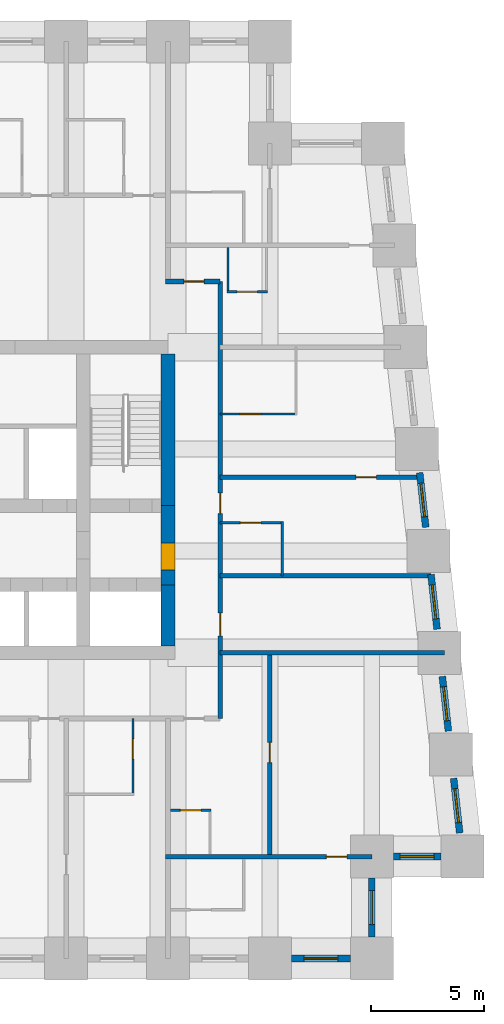
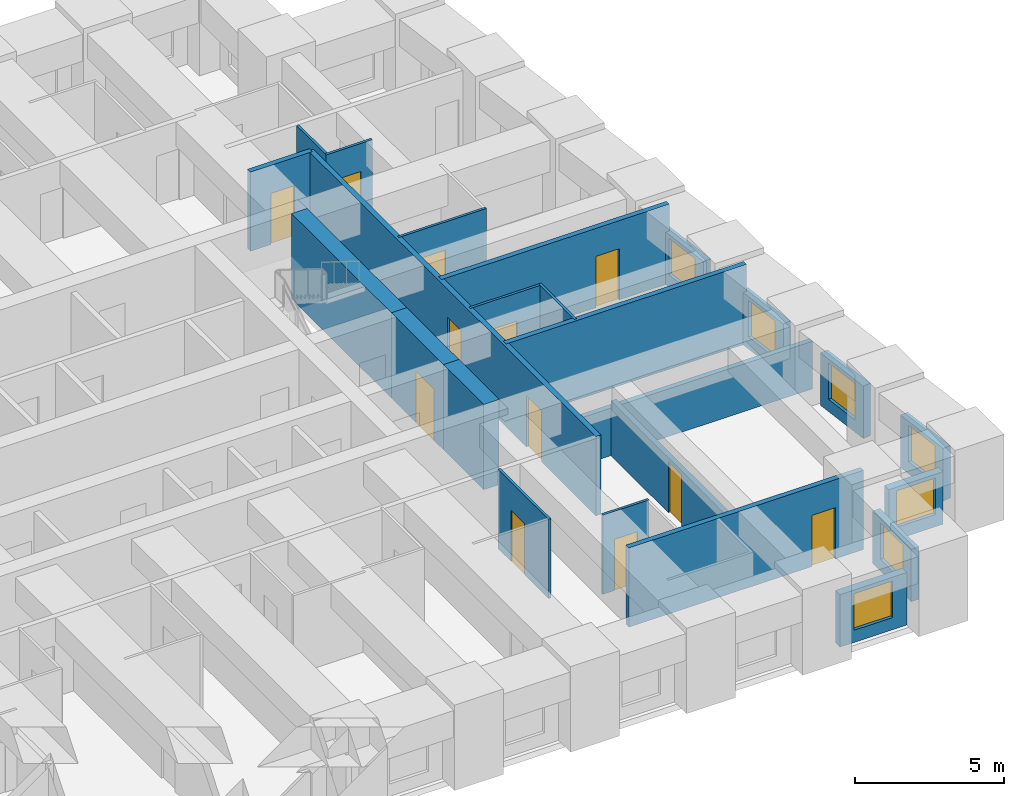
# One storey, part 5 of 8: 24 walls, 12 doors, 7 windows, 19 openings.
"""IFC4 building model written with IfcOpenShell, lengths in metres."""

from ifc_helpers import new_model, si_unit, direction, frame, frame_2d, origin, place, context, subcontext, project, spatial, rectangle, extrude, material, layer, layer_set, type_object, element, fill, save


model = new_model("IFC4")

# Units and contexts
model_context = context("Model", 3, precision=1e-05, world=origin(), true_north=direction((0.0, 1.0)))
body_context = subcontext(model_context, "Body", "Model", "MODEL_VIEW")
ifc_project = project(units=[si_unit("LENGTHUNIT", "METRE"), si_unit("AREAUNIT", "SQUARE_METRE"), si_unit("VOLUMEUNIT", "CUBIC_METRE"), si_unit("PLANEANGLEUNIT", "RADIAN"), si_unit("MASSUNIT", "GRAM", prefix="KILO")], contexts=[model_context])

# Site, building, storey
site_placement = place(None, origin())
site = spatial("IfcSite", under=ifc_project, at=site_placement, CompositionType="ELEMENT")
building_placement = place(site_placement, origin())
building = spatial("IfcBuilding", under=site, at=building_placement, Name="Kilele Tower Hotel", CompositionType="ELEMENT")
storey_placement = place(building_placement, frame((0.0, 0.0, 89.89990234375)))
storey = spatial("IfcBuildingStorey", under=building, at=storey_placement, Name="L22", CompositionType="ELEMENT", Elevation=89.89990234375)

# Wall, opening, door
ifc_material_1 = material(Name="Moisture-resistant board")
ifc_layer_1 = layer(ifc_material_1, 0.10009765625)
ifc_layer_set_1 = layer_set([ifc_layer_1], Name="Moisture-resistant board")
wall_type_1 = type_object("IfcWallType", Name="Bathroom partition 100", PredefinedType="PLUMBINGWALL", material=ifc_layer_set_1)
wall_1_placement = place(storey_placement, frame((34.449951171875, 10.60009765625, 0.0), z_axis=(0.0, 0.0, 1.0), x_axis=(0.0, -1.0, 0.0)))
wall_1 = element("IfcWall", 1, at=wall_1_placement, inside=storey, type_object=wall_type_1, Name="Bathroom partition 100 L22", PredefinedType="PLUMBINGWALL", context=body_context, shape_type="SweptSolid", body=[
    extrude(rectangle(XDim=3.400146484375, YDim=0.10009765625, at=frame_2d((1.7001953125, 0.0))), origin(), (0.0, 0.0, 1.0), 3.25),
])
opening_1_placement = place(wall_1_placement, frame((0.89990234375, 0.0, 0.0)))
opening_1 = element("IfcOpeningElement", 2, at=opening_1_placement, cuts=wall_1, Name="Opening D2A", PredefinedType="OPENING", context=body_context, shape_type="SweptSolid", body=[
    extrude(rectangle(XDim=0.89990234375, YDim=2.10009765625, at=frame_2d((0.449951171875, 1.050048828125))), frame((0.0, 0.06005859375, 0.0), z_axis=(0.0, -1.0, 0.0), x_axis=(1.0, 0.0, 0.0)), (0.0, 0.0, 1.0), 0.1201171875),
])
ifc_material_2 = material(Name="Timber door leaf in hardwood frame", Category="wood")
door_type_1 = type_object("IfcDoorType", Name="Bathroom door 900", OperationType="SINGLE_SWING_LEFT", PredefinedType="DOOR", material=ifc_material_2)
door_1_placement = place(opening_1_placement, origin())
door_1 = element("IfcDoor", 3, at=door_1_placement, inside=storey, type_object=door_type_1, Name="Bathroom door 2205B", OperationType="SINGLE_SWING_LEFT", OverallHeight=2.10009765625, OverallWidth=0.89990234375, PredefinedType="DOOR", context=body_context, shape_type="SweptSolid", body=[
    extrude(rectangle(XDim=0.89990234375, YDim=2.10009765625, at=frame_2d((0.449951171875, 1.050048828125))), frame((0.0, 0.02490234375, 0.0), z_axis=(0.0, -1.0, 0.0), x_axis=(1.0, 0.0, 0.0)), (0.0, 0.0, 1.0), 0.050048828125),
])
fill(opening_1, door_1)

# Wall
wall_2_placement = place(storey_placement, frame((41.050048828125, 16.89990234375, 0.0), z_axis=(0.0, 0.0, 1.0), x_axis=(0.0, 1.0, 0.0)))
element("IfcWall", 4, at=wall_2_placement, inside=storey, type_object=wall_type_1, Name="Bathroom partition 100 L22", PredefinedType="PLUMBINGWALL", context=body_context, shape_type="SweptSolid", body=[
    extrude(rectangle(XDim=2.400146484375, YDim=0.10009765625, at=frame_2d((1.2001953125, 0.0))), origin(), (0.0, 0.0, 1.0), 3.25),
])

# Wall, opening, door
wall_3_placement = place(storey_placement, frame((38.300048828125, 19.25, 0.0), z_axis=(0.0, 0.0, 1.0), x_axis=(1.0, 0.0, 0.0)))
wall_3 = element("IfcWall", 5, at=wall_3_placement, inside=storey, type_object=wall_type_1, Name="Bathroom partition 100 L22", PredefinedType="PLUMBINGWALL", context=body_context, shape_type="SweptSolid", body=[
    extrude(rectangle(XDim=2.800048828125, YDim=0.10009765625, at=frame_2d((1.39990234375, 0.0))), origin(), (0.0, 0.0, 1.0), 3.25),
])
opening_2_placement = place(wall_3_placement, frame((0.89990234375, 0.0, 0.0)))
opening_2 = element("IfcOpeningElement", 6, at=opening_2_placement, cuts=wall_3, Name="Opening D2A", PredefinedType="OPENING", context=body_context, shape_type="SweptSolid", body=[
    extrude(rectangle(XDim=0.89990234375, YDim=2.10009765625, at=frame_2d((0.449951171875, 1.050048828125))), frame((0.0, 0.06005859375, 0.0), z_axis=(0.0, -1.0, 0.0), x_axis=(1.0, 0.0, 0.0)), (0.0, 0.0, 1.0), 0.1201171875),
])
door_2_placement = place(opening_2_placement, origin())
door_2 = element("IfcDoor", 7, at=door_2_placement, inside=storey, type_object=door_type_1, Name="Bathroom door 2207B", OperationType="SINGLE_SWING_LEFT", OverallHeight=2.10009765625, OverallWidth=0.89990234375, PredefinedType="DOOR", context=body_context, shape_type="SweptSolid", body=[
    extrude(rectangle(XDim=0.89990234375, YDim=2.10009765625, at=frame_2d((0.449951171875, 1.050048828125))), frame((0.0, 0.02490234375, 0.0), z_axis=(0.0, -1.0, 0.0), x_axis=(1.0, 0.0, 0.0)), (0.0, 0.0, 1.0), 0.050048828125),
])
fill(opening_2, door_2)

wall_4_placement = place(storey_placement, frame((38.300048828125, 24.050048828125, 0.0), z_axis=(0.0, 0.0, 1.0), x_axis=(1.0, 0.0, 0.0)))
wall_4 = element("IfcWall", 8, at=wall_4_placement, inside=storey, type_object=wall_type_1, Name="Bathroom partition 100 L22", PredefinedType="PLUMBINGWALL", context=body_context, shape_type="SweptSolid", body=[
    extrude(rectangle(XDim=3.39990234375, YDim=0.10009765625, at=frame_2d((1.699951171875, 0.0))), origin(), (0.0, 0.0, 1.0), 3.25),
])
opening_3_placement = place(wall_4_placement, frame((1.7998046875, 0.0, 0.0), z_axis=(0.0, 0.0, 1.0), x_axis=(-1.0, 0.0, 0.0)))
opening_3 = element("IfcOpeningElement", 9, at=opening_3_placement, cuts=wall_4, Name="Opening D2A", PredefinedType="OPENING", context=body_context, shape_type="SweptSolid", body=[
    extrude(rectangle(XDim=0.89990234375, YDim=2.10009765625, at=frame_2d((0.449951171875, 1.050048828125))), frame((0.0, 0.06005859375, 0.0), z_axis=(0.0, -1.0, 0.0), x_axis=(1.0, 0.0, 0.0)), (0.0, 0.0, 1.0), 0.1201171875),
])
door_3_placement = place(opening_3_placement, origin())
door_3 = element("IfcDoor", 10, at=door_3_placement, inside=storey, type_object=door_type_1, Name="Bathroom door 2208B", OperationType="SINGLE_SWING_RIGHT", OverallHeight=2.10009765625, OverallWidth=0.89990234375, PredefinedType="DOOR", context=body_context, shape_type="SweptSolid", body=[
    extrude(rectangle(XDim=0.89990234375, YDim=2.10009765625, at=frame_2d((0.449951171875, 1.050048828125))), frame((0.0, 0.02490234375, 0.0), z_axis=(0.0, -1.0, 0.0), x_axis=(1.0, 0.0, 0.0)), (0.0, 0.0, 1.0), 0.050048828125),
])
fill(opening_3, door_3)

wall_5_placement = place(storey_placement, frame((36.10009765625, 6.550048828125, 0.0), z_axis=(0.0, 0.0, 1.0), x_axis=(1.0, 0.0, 0.0)))
wall_5 = element("IfcWall", 11, at=wall_5_placement, inside=storey, type_object=wall_type_1, Name="Bathroom partition 100 L22", PredefinedType="PLUMBINGWALL", context=body_context, shape_type="SweptSolid", body=[
    extrude(rectangle(XDim=1.7998046875, YDim=0.10009765625, at=frame_2d((0.89990234375, 0.0))), origin(), (0.0, 0.0, 1.0), 3.25),
])
opening_4_placement = place(wall_5_placement, frame((0.449951171875, 0.0, 0.0)))
opening_4 = element("IfcOpeningElement", 12, at=opening_4_placement, cuts=wall_5, Name="Opening D2A", PredefinedType="OPENING", context=body_context, shape_type="SweptSolid", body=[
    extrude(rectangle(XDim=0.89990234375, YDim=2.10009765625, at=frame_2d((0.449951171875, 1.050048828125))), frame((0.0, 0.06005859375, 0.0), z_axis=(0.0, -1.0, 0.0), x_axis=(1.0, 0.0, 0.0)), (0.0, 0.0, 1.0), 0.1201171875),
])
door_4_placement = place(opening_4_placement, origin())
door_4 = element("IfcDoor", 13, at=door_4_placement, inside=storey, type_object=door_type_1, Name="Bathroom door 2220P", OperationType="SINGLE_SWING_LEFT", OverallHeight=2.10009765625, OverallWidth=0.89990234375, PredefinedType="DOOR", context=body_context, shape_type="SweptSolid", body=[
    extrude(rectangle(XDim=0.89990234375, YDim=2.10009765625, at=frame_2d((0.449951171875, 1.050048828125))), frame((0.0, 0.02490234375, 0.0), z_axis=(0.0, -1.0, 0.0), x_axis=(1.0, 0.0, 0.0)), (0.0, 0.0, 1.0), 0.050048828125),
])
fill(opening_4, door_4)

# Wall
wall_6_placement = place(storey_placement, frame((38.64990234375, 31.39990234375, 0.0), z_axis=(0.0, 0.0, 1.0), x_axis=(0.0, -1.0, 0.0)))
element("IfcWall", 14, at=wall_6_placement, inside=storey, type_object=wall_type_1, Name="Bathroom partition 100 L22", PredefinedType="PLUMBINGWALL", context=body_context, shape_type="SweptSolid", body=[
    extrude(rectangle(XDim=2.0, YDim=0.10009765625, at=frame_2d((1.0, 0.0))), origin(), (0.0, 0.0, 1.0), 3.25),
])

# Wall, opening, door
wall_7_placement = place(storey_placement, frame((38.60009765625, 29.449951171875, 0.0), z_axis=(0.0, 0.0, 1.0), x_axis=(1.0, 0.0, 0.0)))
wall_7 = element("IfcWall", 15, at=wall_7_placement, inside=storey, type_object=wall_type_1, Name="Bathroom partition 100 L22", PredefinedType="PLUMBINGWALL", context=body_context, shape_type="SweptSolid", body=[
    extrude(rectangle(XDim=1.7998046875, YDim=0.10009765625, at=frame_2d((0.89990234375, 0.0))), origin(), (0.0, 0.0, 1.0), 3.25),
])
opening_5_placement = place(wall_7_placement, frame((1.349853515625, 0.0, 0.0), z_axis=(0.0, 0.0, 1.0), x_axis=(-1.0, 0.0, 0.0)))
opening_5 = element("IfcOpeningElement", 16, at=opening_5_placement, cuts=wall_7, Name="Opening D2A", PredefinedType="OPENING", context=body_context, shape_type="SweptSolid", body=[
    extrude(rectangle(XDim=0.89990234375, YDim=2.10009765625, at=frame_2d((0.449951171875, 1.050048828125))), frame((0.0, 0.06005859375, 0.0), z_axis=(0.0, -1.0, 0.0), x_axis=(1.0, 0.0, 0.0)), (0.0, 0.0, 1.0), 0.1201171875),
])
door_5_placement = place(opening_5_placement, origin())
door_5 = element("IfcDoor", 17, at=door_5_placement, inside=storey, type_object=door_type_1, Name="Bathroom door 2223P", OperationType="SINGLE_SWING_RIGHT", OverallHeight=2.10009765625, OverallWidth=0.89990234375, PredefinedType="DOOR", context=body_context, shape_type="SweptSolid", body=[
    extrude(rectangle(XDim=0.89990234375, YDim=2.10009765625, at=frame_2d((0.449951171875, 1.050048828125))), frame((0.0, 0.02490234375, 0.0), z_axis=(0.0, -1.0, 0.0), x_axis=(1.0, 0.0, 0.0)), (0.0, 0.0, 1.0), 0.050048828125),
])
fill(opening_5, door_5)

# Wall
ifc_material_3 = material(Name="Concrete C60/75", Category="concrete")
ifc_layer_2 = layer(ifc_material_3, 0.60009765625)
ifc_layer_set_2 = layer_set([ifc_layer_2], Name="Concrete C60/75")
wall_type_2 = type_object("IfcWallType", Name="Core wall 600 C60/75", PredefinedType="SHEAR", material=ifc_layer_set_2)
wall_8_placement = place(storey_placement, frame((36.0, 13.800048828125, 0.0), z_axis=(0.0, 0.0, 1.0), x_axis=(0.0, 1.0, 0.0)))
element("IfcWall", 18, at=wall_8_placement, inside=storey, type_object=wall_type_2, Name="Core wall E1 L22", PredefinedType="SHEAR", context=body_context, shape_type="SweptSolid", body=[
    extrude(rectangle(XDim=2.699951171875, YDim=0.60009765625, at=frame_2d((1.35009765625, 0.0))), origin(), (0.0, 0.0, 1.0), 3.5),
])

# Wall, opening, door
wall_9_placement = place(storey_placement, frame((36.0, 16.5, 0.0), z_axis=(0.0, 0.0, 1.0), x_axis=(0.0, 1.0, 0.0)))
wall_9 = element("IfcWall", 19, at=wall_9_placement, inside=storey, type_object=wall_type_2, Name="Core wall E2 L22", PredefinedType="SHEAR", context=body_context, shape_type="SweptSolid", body=[
    extrude(rectangle(XDim=3.5, YDim=0.60009765625, at=frame_2d((1.75, 0.0))), origin(), (0.0, 0.0, 1.0), 3.5),
])
opening_6_placement = place(wall_9_placement, frame((0.64990234375, 0.0, 0.0)))
opening_6 = element("IfcOpeningElement", 20, at=opening_6_placement, cuts=wall_9, Name="Opening D4", PredefinedType="OPENING", context=body_context, shape_type="SweptSolid", body=[
    extrude(rectangle(XDim=1.199951171875, YDim=2.10009765625, at=frame_2d((0.60009765625, 1.050048828125))), frame((0.0, 0.31005859375, 0.0), z_axis=(0.0, -1.0, 0.0), x_axis=(1.0, 0.0, 0.0)), (0.0, 0.0, 1.0), 0.6201171875),
])
ifc_material_4 = material(Name="Timber door leaf in hardwood frame", Category="wood")
door_type_2 = type_object("IfcDoorType", Name="Firefighting lobby door 1200", OperationType="SINGLE_SWING_LEFT", PredefinedType="DOOR", material=ifc_material_4)
door_6_placement = place(opening_6_placement, origin())
door_6 = element("IfcDoor", 21, at=door_6_placement, inside=storey, type_object=door_type_2, Name="Lobby door L22", OperationType="SINGLE_SWING_LEFT", OverallHeight=2.10009765625, OverallWidth=1.199951171875, PredefinedType="DOOR", context=body_context, shape_type="SweptSolid", body=[
    extrude(rectangle(XDim=1.199951171875, YDim=2.10009765625, at=frame_2d((0.60009765625, 1.050048828125))), frame((0.0, 0.2998046875, 0.0), z_axis=(0.0, -1.0, 0.0), x_axis=(1.0, 0.0, 0.0)), (0.0, 0.0, 1.0), 0.599609375),
])
fill(opening_6, door_6)

# Wall
wall_10_placement = place(storey_placement, frame((36.0, 20.0, 0.0), z_axis=(0.0, 0.0, 1.0), x_axis=(0.0, 1.0, 0.0)))
element("IfcWall", 22, at=wall_10_placement, inside=storey, type_object=wall_type_2, Name="Core wall E3 L22", PredefinedType="SHEAR", context=body_context, shape_type="SweptSolid", body=[
    extrude(rectangle(XDim=6.699951171875, YDim=0.60009765625, at=frame_2d((3.35009765625, 0.0))), origin(), (0.0, 0.0, 1.0), 3.5),
])

# Wall, opening, door
ifc_material_5 = material(Name="Blockwork, plastered both sides", Category="masonry")
ifc_layer_3 = layer(ifc_material_5, 0.199951171875)
ifc_layer_set_3 = layer_set([ifc_layer_3], Name="Blockwork, plastered both sides")
wall_type_3 = type_object("IfcWallType", Name="Corridor wall 200", PredefinedType="PARTITIONING", material=ifc_layer_set_3)
wall_11_placement = place(storey_placement, frame((35.89990234375, 29.89990234375, 0.0), z_axis=(0.0, 0.0, 1.0), x_axis=(1.0, 0.0, 0.0)))
wall_11 = element("IfcWall", 23, at=wall_11_placement, inside=storey, type_object=wall_type_3, Name="Corridor wall 200 L22", PredefinedType="PARTITIONING", context=body_context, shape_type="SweptSolid", body=[
    extrude(rectangle(XDim=2.400146484375, YDim=0.199951171875, at=frame_2d((1.2001953125, 0.0))), origin(), (0.0, 0.0, 1.0), 3.25),
])
opening_7_placement = place(wall_11_placement, frame((0.800048828125, 0.0, 0.0)))
opening_7 = element("IfcOpeningElement", 24, at=opening_7_placement, cuts=wall_11, Name="Opening D1", PredefinedType="OPENING", context=body_context, shape_type="SweptSolid", body=[
    extrude(rectangle(XDim=0.89990234375, YDim=2.10009765625, at=frame_2d((0.449951171875, 1.050048828125))), frame((0.0, 0.10986328125, 0.0), z_axis=(0.0, -1.0, 0.0), x_axis=(1.0, 0.0, 0.0)), (0.0, 0.0, 1.0), 0.219970703125),
])
ifc_material_6 = material(Name="Timber door leaf in hardwood frame", Category="wood")
door_type_3 = type_object("IfcDoorType", Name="Guest room entrance door 900", OperationType="SINGLE_SWING_LEFT", PredefinedType="DOOR", material=ifc_material_6)
door_7_placement = place(opening_7_placement, origin())
door_7 = element("IfcDoor", 25, at=door_7_placement, inside=storey, type_object=door_type_3, Name="Room entrance 2223", OperationType="SINGLE_SWING_LEFT", OverallHeight=2.10009765625, OverallWidth=0.89990234375, PredefinedType="DOOR", context=body_context, shape_type="SweptSolid", body=[
    extrude(rectangle(XDim=0.89990234375, YDim=2.10009765625, at=frame_2d((0.449951171875, 1.050048828125))), frame((0.0, 0.02490234375, 0.0), z_axis=(0.0, -1.0, 0.0), x_axis=(1.0, 0.0, 0.0)), (0.0, 0.0, 1.0), 0.050048828125),
])
fill(opening_7, door_7)

# Wall, openings, doors
wall_12_placement = place(storey_placement, frame((38.300048828125, 10.60009765625, 0.0), z_axis=(0.0, 0.0, 1.0), x_axis=(0.0, 1.0, 0.0)))
wall_12 = element("IfcWall", 26, at=wall_12_placement, inside=storey, type_object=wall_type_3, Name="Corridor wall 200 L22", PredefinedType="PARTITIONING", context=body_context, shape_type="SweptSolid", body=[
    extrude(rectangle(XDim=19.2998046875, YDim=0.199951171875, at=frame_2d((9.64990234375, 0.0))), origin(), (0.0, 0.0, 1.0), 3.25),
])
opening_8_placement = place(wall_12_placement, frame((4.64990234375, 0.0, 0.0), z_axis=(0.0, 0.0, 1.0), x_axis=(-1.0, 0.0, 0.0)))
opening_8 = element("IfcOpeningElement", 27, at=opening_8_placement, cuts=wall_12, Name="Opening D8", PredefinedType="OPENING", context=body_context, shape_type="SweptSolid", body=[
    extrude(rectangle(XDim=1.0, YDim=2.10009765625, at=frame_2d((0.5, 1.050048828125))), frame((0.0, 0.10986328125, 0.0), z_axis=(0.0, -1.0, 0.0), x_axis=(1.0, 0.0, 0.0)), (0.0, 0.0, 1.0), 0.219970703125),
])
opening_9_placement = place(wall_12_placement, frame((9.949951171875, 0.0, 0.0), z_axis=(0.0, 0.0, 1.0), x_axis=(-1.0, 0.0, 0.0)))
opening_9 = element("IfcOpeningElement", 28, at=opening_9_placement, cuts=wall_12, Name="Opening D1", PredefinedType="OPENING", context=body_context, shape_type="SweptSolid", body=[
    extrude(rectangle(XDim=0.89990234375, YDim=2.10009765625, at=frame_2d((0.449951171875, 1.050048828125))), frame((0.0, 0.10986328125, 0.0), z_axis=(0.0, -1.0, 0.0), x_axis=(1.0, 0.0, 0.0)), (0.0, 0.0, 1.0), 0.219970703125),
])
ifc_material_7 = material(Name="Timber door leaf in hardwood frame", Category="wood")
door_type_4 = type_object("IfcDoorType", Name="Door 1000", OperationType="SINGLE_SWING_LEFT", PredefinedType="DOOR", material=ifc_material_7)
door_8_placement = place(opening_8_placement, origin())
door_8 = element("IfcDoor", 29, at=door_8_placement, inside=storey, type_object=door_type_4, Name="Room entrance 2206", OperationType="SINGLE_SWING_RIGHT", OverallHeight=2.10009765625, OverallWidth=1.0, PredefinedType="DOOR", context=body_context, shape_type="SweptSolid", body=[
    extrude(rectangle(XDim=1.0, YDim=2.10009765625, at=frame_2d((0.5, 1.050048828125))), frame((0.0, 0.02490234375, 0.0), z_axis=(0.0, -1.0, 0.0), x_axis=(1.0, 0.0, 0.0)), (0.0, 0.0, 1.0), 0.050048828125),
])
fill(opening_8, door_8)
door_9_placement = place(opening_9_placement, origin())
door_9 = element("IfcDoor", 30, at=door_9_placement, inside=storey, type_object=door_type_3, Name="Room entrance 2207", OperationType="SINGLE_SWING_RIGHT", OverallHeight=2.10009765625, OverallWidth=0.89990234375, PredefinedType="DOOR", context=body_context, shape_type="SweptSolid", body=[
    extrude(rectangle(XDim=0.89990234375, YDim=2.10009765625, at=frame_2d((0.449951171875, 1.050048828125))), frame((0.0, 0.02490234375, 0.0), z_axis=(0.0, -1.0, 0.0), x_axis=(1.0, 0.0, 0.0)), (0.0, 0.0, 1.0), 0.050048828125),
])
fill(opening_9, door_9)

# Wall, opening, door
ifc_material_8 = material(Name="Blockwork, plastered both sides", Category="masonry")
ifc_layer_4 = layer(ifc_material_8, 0.199951171875)
ifc_layer_set_4 = layer_set([ifc_layer_4], Name="Blockwork, plastered both sides")
wall_type_4 = type_object("IfcWallType", Name="Partition wall 200", PredefinedType="PARTITIONING", material=ifc_layer_set_4)
wall_13_placement = place(storey_placement, frame((40.5, 4.60009765625, 0.0), z_axis=(0.0, 0.0, 1.0), x_axis=(0.0, 1.0, 0.0)))
wall_13 = element("IfcWall", 31, at=wall_13_placement, inside=storey, type_object=wall_type_4, Name="Partition wall 200 L22", PredefinedType="PARTITIONING", context=body_context, shape_type="SweptSolid", body=[
    extrude(rectangle(XDim=8.7998046875, YDim=0.199951171875, at=frame_2d((4.39990234375, 0.0))), origin(), (0.0, 0.0, 1.0), 2.25),
])
opening_10_placement = place(wall_13_placement, frame((4.050048828125, 0.0, 0.0)))
opening_10 = element("IfcOpeningElement", 32, at=opening_10_placement, cuts=wall_13, Name="Opening D3", PredefinedType="OPENING", context=body_context, shape_type="SweptSolid", body=[
    extrude(rectangle(XDim=0.89990234375, YDim=2.10009765625, at=frame_2d((0.449951171875, 1.050048828125))), frame((0.0, 0.10986328125, 0.0), z_axis=(0.0, -1.0, 0.0), x_axis=(1.0, 0.0, 0.0)), (0.0, 0.0, 1.0), 0.219970703125),
])
ifc_material_9 = material(Name="Timber door leaf in hardwood frame", Category="wood")
door_type_5 = type_object("IfcDoorType", Name="Suite internal door 900", OperationType="SINGLE_SWING_LEFT", PredefinedType="DOOR", material=ifc_material_9)
door_10_placement = place(opening_10_placement, origin())
door_10 = element("IfcDoor", 33, at=door_10_placement, inside=storey, type_object=door_type_5, Name="Suite door 2221", OperationType="SINGLE_SWING_RIGHT", OverallHeight=2.10009765625, OverallWidth=0.89990234375, PredefinedType="DOOR", context=body_context, shape_type="SweptSolid", body=[
    extrude(rectangle(XDim=0.89990234375, YDim=2.10009765625, at=frame_2d((0.449951171875, 1.050048828125))), frame((0.0, 0.02490234375, 0.0), z_axis=(0.0, -1.0, 0.0), x_axis=(1.0, 0.0, 0.0)), (0.0, 0.0, 1.0), 0.050048828125),
])
fill(opening_10, door_10)

# Wall
ifc_material_10 = material(Name="Blockwork, plastered both sides", Category="masonry")
ifc_layer_5 = layer(ifc_material_10, 0.199951171875)
ifc_layer_set_5 = layer_set([ifc_layer_5], Name="Blockwork, plastered both sides")
wall_type_5 = type_object("IfcWallType", Name="Party wall 200", PredefinedType="PARTITIONING", material=ifc_layer_set_5)
wall_14_placement = place(storey_placement, frame((38.300048828125, 16.89990234375, 0.0), z_axis=(0.0, 0.0, 1.0), x_axis=(1.0, 0.0, 0.0)))
element("IfcWall", 34, at=wall_14_placement, inside=storey, type_object=wall_type_5, Name="Party wall 200 L22", PredefinedType="PARTITIONING", context=body_context, shape_type="SweptSolid", body=[
    extrude(rectangle(XDim=9.3212890625, YDim=0.199951171875, at=frame_2d((4.66064453125, 0.0))), origin(), (0.0, 0.0, 1.0), 3.25),
])

# Wall, opening, door
wall_15_placement = place(storey_placement, frame((38.300048828125, 21.25, 0.0), z_axis=(0.0, 0.0, 1.0), x_axis=(1.0, 0.0, 0.0)))
wall_15 = element("IfcWall", 35, at=wall_15_placement, inside=storey, type_object=wall_type_5, Name="Party wall 200 L22", PredefinedType="PARTITIONING", context=body_context, shape_type="SweptSolid", body=[
    extrude(rectangle(XDim=8.837890625, YDim=0.199951171875, at=frame_2d((4.4189453125, 0.0))), origin(), (0.0, 0.0, 1.0), 3.25),
])
opening_11_placement = place(wall_15_placement, frame((6.0, 0.0, 0.0)))
opening_11 = element("IfcOpeningElement", 36, at=opening_11_placement, cuts=wall_15, Name="Opening D3", PredefinedType="OPENING", context=body_context, shape_type="SweptSolid", body=[
    extrude(rectangle(XDim=0.89990234375, YDim=2.10009765625, at=frame_2d((0.449951171875, 1.050048828125))), frame((0.0, 0.10986328125, 0.0), z_axis=(0.0, -1.0, 0.0), x_axis=(1.0, 0.0, 0.0)), (0.0, 0.0, 1.0), 0.219970703125),
])
door_11_placement = place(opening_11_placement, origin())
door_11 = element("IfcDoor", 37, at=door_11_placement, inside=storey, type_object=door_type_5, Name="Suite door 2208", OperationType="SINGLE_SWING_RIGHT", OverallHeight=2.10009765625, OverallWidth=0.89990234375, PredefinedType="DOOR", context=body_context, shape_type="SweptSolid", body=[
    extrude(rectangle(XDim=0.89990234375, YDim=2.10009765625, at=frame_2d((0.449951171875, 1.050048828125))), frame((0.0, 0.02490234375, 0.0), z_axis=(0.0, -1.0, 0.0), x_axis=(1.0, 0.0, 0.0)), (0.0, 0.0, 1.0), 0.050048828125),
])
fill(opening_11, door_11)

# Wall
wall_16_placement = place(storey_placement, frame((38.300048828125, 13.5, 0.0), z_axis=(0.0, 0.0, 1.0), x_axis=(1.0, 0.0, 0.0)))
element("IfcWall", 38, at=wall_16_placement, inside=storey, type_object=wall_type_5, Name="Party wall 200 L22", PredefinedType="PARTITIONING", context=body_context, shape_type="SweptSolid", body=[
    extrude(rectangle(XDim=9.921142578125, YDim=0.199951171875, at=frame_2d((4.96044921875, 0.0))), origin(), (0.0, 0.0, 1.0), 1.9501953125),
])

# Wall, opening, door
wall_17_placement = place(storey_placement, frame((35.89990234375, 4.5, 0.0), z_axis=(0.0, 0.0, 1.0), x_axis=(1.0, 0.0, 0.0)))
wall_17 = element("IfcWall", 39, at=wall_17_placement, inside=storey, type_object=wall_type_5, Name="Party wall 200 L22", PredefinedType="PARTITIONING", context=body_context, shape_type="SweptSolid", body=[
    extrude(rectangle(XDim=9.10009765625, YDim=0.199951171875, at=frame_2d((4.550048828125, 0.0))), origin(), (0.0, 0.0, 1.0), 3.25),
])
opening_12_placement = place(wall_17_placement, frame((7.10009765625, 0.0, 0.0)))
opening_12 = element("IfcOpeningElement", 40, at=opening_12_placement, cuts=wall_17, Name="Opening D3", PredefinedType="OPENING", context=body_context, shape_type="SweptSolid", body=[
    extrude(rectangle(XDim=0.89990234375, YDim=2.10009765625, at=frame_2d((0.449951171875, 1.050048828125))), frame((0.0, 0.10986328125, 0.0), z_axis=(0.0, -1.0, 0.0), x_axis=(1.0, 0.0, 0.0)), (0.0, 0.0, 1.0), 0.219970703125),
])
door_12_placement = place(opening_12_placement, origin())
door_12 = element("IfcDoor", 41, at=door_12_placement, inside=storey, type_object=door_type_5, Name="Suite door 2222", OperationType="SINGLE_SWING_RIGHT", OverallHeight=2.10009765625, OverallWidth=0.89990234375, PredefinedType="DOOR", context=body_context, shape_type="SweptSolid", body=[
    extrude(rectangle(XDim=0.89990234375, YDim=2.10009765625, at=frame_2d((0.449951171875, 1.050048828125))), frame((0.0, 0.02490234375, 0.0), z_axis=(0.0, -1.0, 0.0), x_axis=(1.0, 0.0, 0.0)), (0.0, 0.0, 1.0), 0.050048828125),
])
fill(opening_12, door_12)

# Wall, opening, window
ifc_material_11 = material(Name="Concrete C40/50 precast", Category="concrete")
ifc_layer_6 = layer(ifc_material_11, 0.260009765625, Name="Precast backing", Category="LoadBearing")
ifc_material_12 = material(Name="Reconstituted stone finish", Category="masonry")
ifc_layer_7 = layer(ifc_material_12, 0.0400390625, Name="Face mix", Category="Finish")
ifc_layer_set_6 = layer_set([ifc_layer_6, ifc_layer_7], Name="Precast concrete C40/50, reconstituted stone finish")
wall_type_6 = type_object("IfcWallType", Name="Precast stone facade wall 300", PredefinedType="STANDARD", material=ifc_layer_set_6)
wall_18_placement = place(storey_placement, frame((41.449951171875, 0.0, 0.0), z_axis=(0.0, 0.0, 1.0), x_axis=(1.0, 0.0, 0.0)))
wall_18 = element("IfcWall", 42, at=wall_18_placement, inside=storey, type_object=wall_type_6, Name="Facade wall L22 edge 3 bay 9", PredefinedType="STANDARD", context=body_context, shape_type="SweptSolid", body=[
    extrude(rectangle(XDim=2.60009765625, YDim=0.300048828125, at=frame_2d((1.300048828125, 0.0))), origin(), (0.0, 0.0, 1.0), 2.150146484375),
])
opening_13_placement = place(wall_18_placement, frame((0.550048828125, 0.0, 0.5)))
opening_13 = element("IfcOpeningElement", 43, at=opening_13_placement, cuts=wall_18, Name="Opening W2", PredefinedType="OPENING", context=body_context, shape_type="SweptSolid", body=[
    extrude(rectangle(XDim=1.5, YDim=1.5, at=frame_2d((0.75, 0.75))), frame((0.0, 0.159912109375, 0.0), z_axis=(0.0, -1.0, 0.0), x_axis=(1.0, 0.0, 0.0)), (0.0, 0.0, 1.0), 0.320068359375),
])
ifc_material_13 = material(Name="Aluminium frame, clear double glazing", Category="aluminium")
window_type = type_object("IfcWindowType", Name="Window W2 1500 x 1500", PartitioningType="SINGLE_PANEL", PredefinedType="WINDOW", material=ifc_material_13)
window_1_placement = place(opening_13_placement, origin())
window_1 = element("IfcWindow", 44, at=window_1_placement, inside=storey, type_object=window_type, Name="Window L22", OverallHeight=1.5, OverallWidth=1.5, PartitioningType="SINGLE_PANEL", PredefinedType="WINDOW", context=body_context, shape_type="SweptSolid", body=[
    extrude(rectangle(XDim=1.5, YDim=1.5, at=frame_2d((0.75, 0.75))), frame((0.0, 0.030029296875, 0.0), z_axis=(0.0, -1.0, 0.0), x_axis=(1.0, 0.0, 0.0)), (0.0, 0.0, 1.0), 0.06005859375),
])
fill(opening_13, window_1)

wall_19_placement = place(storey_placement, frame((45.0, 0.949951171875, 0.0), z_axis=(0.0, 0.0, 1.0), x_axis=(0.0, 1.0, 0.0)))
wall_19 = element("IfcWall", 45, at=wall_19_placement, inside=storey, type_object=wall_type_6, Name="Facade wall L22 edge 4 bay 1", PredefinedType="STANDARD", context=body_context, shape_type="SweptSolid", body=[
    extrude(rectangle(XDim=2.60009765625, YDim=0.300048828125, at=frame_2d((1.300048828125, 0.0))), origin(), (0.0, 0.0, 1.0), 2.150146484375),
])
opening_14_placement = place(wall_19_placement, frame((0.550048828125, 0.0, 0.5)))
opening_14 = element("IfcOpeningElement", 46, at=opening_14_placement, cuts=wall_19, Name="Opening W2", PredefinedType="OPENING", context=body_context, shape_type="SweptSolid", body=[
    extrude(rectangle(XDim=1.5, YDim=1.5, at=frame_2d((0.75, 0.75))), frame((0.0, 0.159912109375, 0.0), z_axis=(0.0, -1.0, 0.0), x_axis=(1.0, 0.0, 0.0)), (0.0, 0.0, 1.0), 0.320068359375),
])
window_2_placement = place(opening_14_placement, origin())
window_2 = element("IfcWindow", 47, at=window_2_placement, inside=storey, type_object=window_type, Name="Window L22", OverallHeight=1.5, OverallWidth=1.5, PartitioningType="SINGLE_PANEL", PredefinedType="WINDOW", context=body_context, shape_type="SweptSolid", body=[
    extrude(rectangle(XDim=1.5, YDim=1.5, at=frame_2d((0.75, 0.75))), frame((0.0, 0.030029296875, 0.0), z_axis=(0.0, -1.0, 0.0), x_axis=(1.0, 0.0, 0.0)), (0.0, 0.0, 1.0), 0.06005859375),
])
fill(opening_14, window_2)

wall_20_placement = place(storey_placement, frame((45.949951171875, 4.5, 0.0), z_axis=(0.0, 0.0, 1.0), x_axis=(1.0, 0.0, 0.0)))
wall_20 = element("IfcWall", 48, at=wall_20_placement, inside=storey, type_object=wall_type_6, Name="Facade wall L22 edge 5 bay 1", PredefinedType="STANDARD", context=body_context, shape_type="SweptSolid", body=[
    extrude(rectangle(XDim=2.10009765625, YDim=0.300048828125, at=frame_2d((1.050048828125, 0.0))), origin(), (0.0, 0.0, 1.0), 2.150146484375),
])
opening_15_placement = place(wall_20_placement, frame((0.300048828125, 0.0, 0.5)))
opening_15 = element("IfcOpeningElement", 49, at=opening_15_placement, cuts=wall_20, Name="Opening W2", PredefinedType="OPENING", context=body_context, shape_type="SweptSolid", body=[
    extrude(rectangle(XDim=1.5, YDim=1.5, at=frame_2d((0.75, 0.75))), frame((0.0, 0.159912109375, 0.0), z_axis=(0.0, -1.0, 0.0), x_axis=(1.0, 0.0, 0.0)), (0.0, 0.0, 1.0), 0.320068359375),
])
window_3_placement = place(opening_15_placement, origin())
window_3 = element("IfcWindow", 50, at=window_3_placement, inside=storey, type_object=window_type, Name="Window L22", OverallHeight=1.5, OverallWidth=1.5, PartitioningType="SINGLE_PANEL", PredefinedType="WINDOW", context=body_context, shape_type="SweptSolid", body=[
    extrude(rectangle(XDim=1.5, YDim=1.5, at=frame_2d((0.75, 0.75))), frame((0.0, 0.030029296875, 0.0), z_axis=(0.0, -1.0, 0.0), x_axis=(1.0, 0.0, 0.0)), (0.0, 0.0, 1.0), 0.06005859375),
])
fill(opening_15, window_3)

wall_21_placement = place(storey_placement, frame((48.884033203125, 5.542724609375, 0.0), z_axis=(0.0, 0.0, 1.0), x_axis=(-0.110343286306, 0.993893535127, 0.0)))
wall_21 = element("IfcWall", 51, at=wall_21_placement, inside=storey, type_object=wall_type_6, Name="Facade wall L22 edge 6 bay 1", PredefinedType="STANDARD", context=body_context, shape_type="SweptSolid", body=[
    extrude(rectangle(XDim=2.429443359375, YDim=0.300048828125, at=frame_2d((1.21484375, 0.0))), origin(), (0.0, 0.0, 1.0), 2.150146484375),
])
opening_16_placement = place(wall_21_placement, frame((0.46484375, 0.0, 0.5)))
opening_16 = element("IfcOpeningElement", 52, at=opening_16_placement, cuts=wall_21, Name="Opening W2", PredefinedType="OPENING", context=body_context, shape_type="SweptSolid", body=[
    extrude(rectangle(XDim=1.5, YDim=1.5, at=frame_2d((0.75, 0.75))), frame((0.0, 0.159912109375, 0.0), z_axis=(0.0, -1.0, 0.0), x_axis=(1.0, 0.0, 0.0)), (0.0, 0.0, 1.0), 0.320068359375),
])
window_4_placement = place(opening_16_placement, origin())
window_4 = element("IfcWindow", 53, at=window_4_placement, inside=storey, type_object=window_type, Name="Window L22", OverallHeight=1.5, OverallWidth=1.5, PartitioningType="SINGLE_PANEL", PredefinedType="WINDOW", context=body_context, shape_type="SweptSolid", body=[
    extrude(rectangle(XDim=1.5, YDim=1.5, at=frame_2d((0.75, 0.75))), frame((0.0, 0.030029296875, 0.0), z_axis=(0.0, -1.0, 0.0), x_axis=(1.0, 0.0, 0.0)), (0.0, 0.0, 1.0), 0.06005859375),
])
fill(opening_16, window_4)

wall_22_placement = place(storey_placement, frame((48.384033203125, 10.042724609375, 0.0), z_axis=(0.0, 0.0, 1.0), x_axis=(-0.110343286306, 0.993893535127, 0.0)))
wall_22 = element("IfcWall", 54, at=wall_22_placement, inside=storey, type_object=wall_type_6, Name="Facade wall L22 edge 6 bay 2", PredefinedType="STANDARD", context=body_context, shape_type="SweptSolid", body=[
    extrude(rectangle(XDim=2.429443359375, YDim=0.300048828125, at=frame_2d((1.21484375, 0.0))), origin(), (0.0, 0.0, 1.0), 2.150146484375),
])
opening_17_placement = place(wall_22_placement, frame((0.465087890625, 0.0, 0.5)))
opening_17 = element("IfcOpeningElement", 55, at=opening_17_placement, cuts=wall_22, Name="Opening W2", PredefinedType="OPENING", context=body_context, shape_type="SweptSolid", body=[
    extrude(rectangle(XDim=1.5, YDim=1.5, at=frame_2d((0.75, 0.75))), frame((0.0, 0.159912109375, 0.0), z_axis=(0.0, -1.0, 0.0), x_axis=(1.0, 0.0, 0.0)), (0.0, 0.0, 1.0), 0.320068359375),
])
window_5_placement = place(opening_17_placement, origin())
window_5 = element("IfcWindow", 56, at=window_5_placement, inside=storey, type_object=window_type, Name="Window L22", OverallHeight=1.5, OverallWidth=1.5, PartitioningType="SINGLE_PANEL", PredefinedType="WINDOW", context=body_context, shape_type="SweptSolid", body=[
    extrude(rectangle(XDim=1.5, YDim=1.5, at=frame_2d((0.75, 0.75))), frame((0.0, 0.030029296875, 0.0), z_axis=(0.0, -1.0, 0.0), x_axis=(1.0, 0.0, 0.0)), (0.0, 0.0, 1.0), 0.06005859375),
])
fill(opening_17, window_5)

wall_23_placement = place(storey_placement, frame((47.884033203125, 14.542724609375, 0.0), z_axis=(0.0, 0.0, 1.0), x_axis=(-0.110343286306, 0.993893535127, 0.0)))
wall_23 = element("IfcWall", 57, at=wall_23_placement, inside=storey, type_object=wall_type_6, Name="Facade wall L22 edge 6 bay 3", PredefinedType="STANDARD", context=body_context, shape_type="SweptSolid", body=[
    extrude(rectangle(XDim=2.429443359375, YDim=0.300048828125, at=frame_2d((1.21484375, 0.0))), origin(), (0.0, 0.0, 1.0), 2.150146484375),
])
opening_18_placement = place(wall_23_placement, frame((0.464599609375, 0.0, 0.5)))
opening_18 = element("IfcOpeningElement", 58, at=opening_18_placement, cuts=wall_23, Name="Opening W2", PredefinedType="OPENING", context=body_context, shape_type="SweptSolid", body=[
    extrude(rectangle(XDim=1.5, YDim=1.5, at=frame_2d((0.75, 0.75))), frame((0.0, 0.159912109375, 0.0), z_axis=(0.0, -1.0, 0.0), x_axis=(1.0, 0.0, 0.0)), (0.0, 0.0, 1.0), 0.320068359375),
])
window_6_placement = place(opening_18_placement, origin())
window_6 = element("IfcWindow", 59, at=window_6_placement, inside=storey, type_object=window_type, Name="Window L22", OverallHeight=1.5, OverallWidth=1.5, PartitioningType="SINGLE_PANEL", PredefinedType="WINDOW", context=body_context, shape_type="SweptSolid", body=[
    extrude(rectangle(XDim=1.5, YDim=1.5, at=frame_2d((0.75, 0.75))), frame((0.0, 0.030029296875, 0.0), z_axis=(0.0, -1.0, 0.0), x_axis=(1.0, 0.0, 0.0)), (0.0, 0.0, 1.0), 0.06005859375),
])
fill(opening_18, window_6)

wall_24_placement = place(storey_placement, frame((47.384033203125, 19.042724609375, 0.0), z_axis=(0.0, 0.0, 1.0), x_axis=(-0.110343286306, 0.993893535127, 0.0)))
wall_24 = element("IfcWall", 60, at=wall_24_placement, inside=storey, type_object=wall_type_6, Name="Facade wall L22 edge 6 bay 4", PredefinedType="STANDARD", context=body_context, shape_type="SweptSolid", body=[
    extrude(rectangle(XDim=2.429443359375, YDim=0.300048828125, at=frame_2d((1.21484375, 0.0))), origin(), (0.0, 0.0, 1.0), 2.150146484375),
])
opening_19_placement = place(wall_24_placement, frame((0.46484375, 0.0, 0.5)))
opening_19 = element("IfcOpeningElement", 61, at=opening_19_placement, cuts=wall_24, Name="Opening W2", PredefinedType="OPENING", context=body_context, shape_type="SweptSolid", body=[
    extrude(rectangle(XDim=1.5, YDim=1.5, at=frame_2d((0.75, 0.75))), frame((0.0, 0.159912109375, 0.0), z_axis=(0.0, -1.0, 0.0), x_axis=(1.0, 0.0, 0.0)), (0.0, 0.0, 1.0), 0.320068359375),
])
window_7_placement = place(opening_19_placement, origin())
window_7 = element("IfcWindow", 62, at=window_7_placement, inside=storey, type_object=window_type, Name="Window L22", OverallHeight=1.5, OverallWidth=1.5, PartitioningType="SINGLE_PANEL", PredefinedType="WINDOW", context=body_context, shape_type="SweptSolid", body=[
    extrude(rectangle(XDim=1.5, YDim=1.5, at=frame_2d((0.75, 0.75))), frame((0.0, 0.030029296875, 0.0), z_axis=(0.0, -1.0, 0.0), x_axis=(1.0, 0.0, 0.0)), (0.0, 0.0, 1.0), 0.06005859375),
])
fill(opening_19, window_7)

save(model, "model.ifc")
